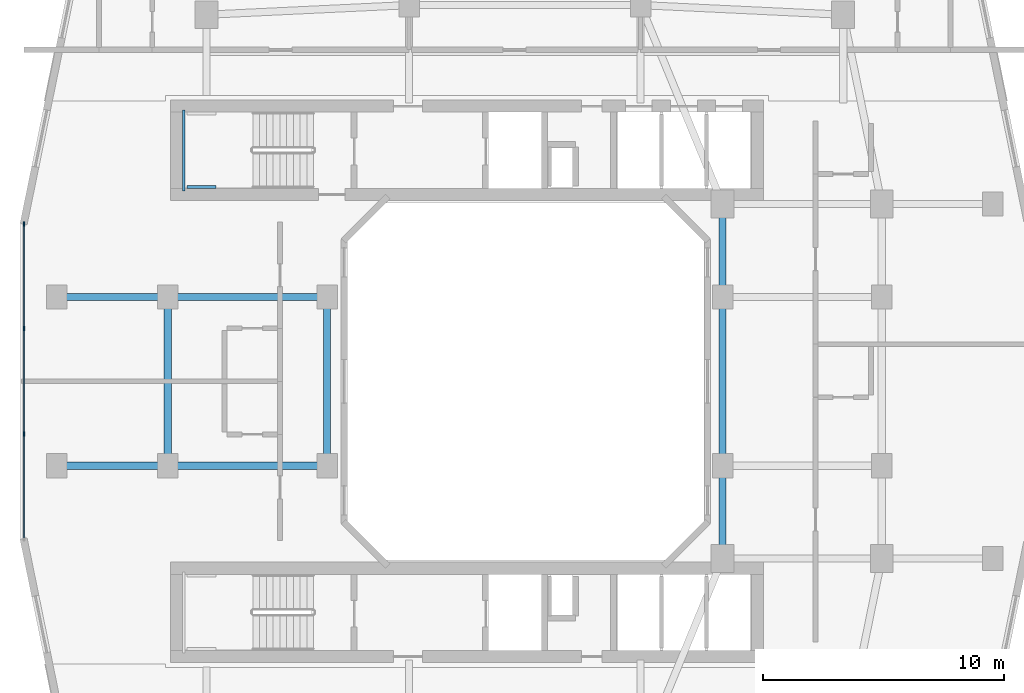
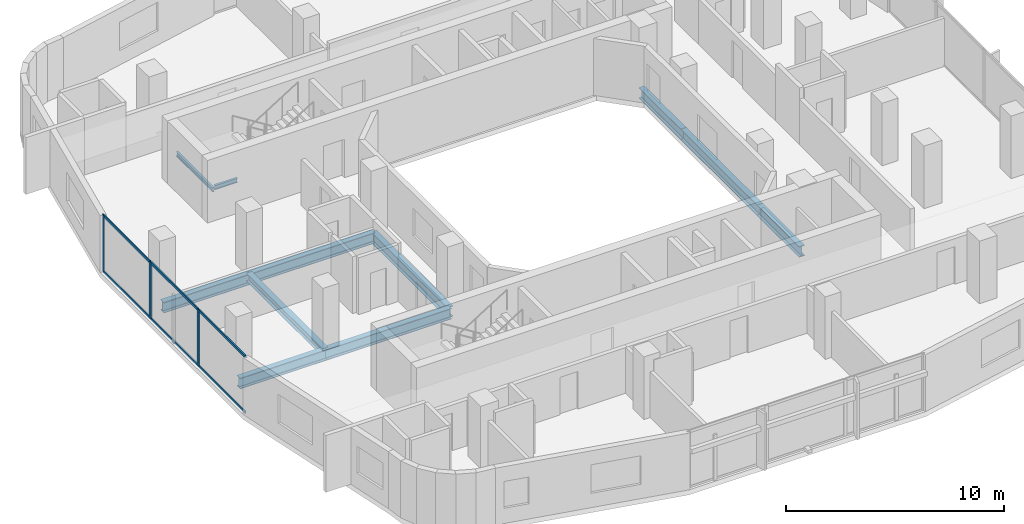
# One storey, part 3 of 25: 11 beams, 9 members, 1 element without a shape of its own.
"""IFC4 building model written with IfcOpenShell, lengths in metres."""

from ifc_helpers import new_model, si_unit, derived_unit, direction, frame, origin, origin_2d, place, context, subcontext, project, spatial, rectangle, i_section, extrude, material, layer, layer_set, material_profile, profile_set, type_object, element, aggregate, save


model = new_model("IFC4")

# Units and contexts
model_context = context("Model", 3, precision=1e-05, world=origin(), true_north=direction((0.0, 1.0)))
body_context = subcontext(model_context, "Body", "Model", "MODEL_VIEW")
ifc_project = project(units=[si_unit("LENGTHUNIT", "METRE"), si_unit("AREAUNIT", "SQUARE_METRE"), si_unit("VOLUMEUNIT", "CUBIC_METRE"), si_unit("PLANEANGLEUNIT", "RADIAN"), si_unit("MASSUNIT", "GRAM", prefix="KILO"), derived_unit("THERMALTRANSMITTANCEUNIT", [(si_unit("POWERUNIT", "WATT"), 1), (si_unit("LENGTHUNIT", "METRE"), -2), (si_unit("THERMODYNAMICTEMPERATUREUNIT", "KELVIN"), -1)])], contexts=[model_context])

# Site, building, storey
site_placement = place(None, origin())
site = spatial("IfcSite", under=ifc_project, at=site_placement, CompositionType="ELEMENT")
building_placement = place(site_placement, origin())
building = spatial("IfcBuilding", under=site, at=building_placement, Name="Kivonza Crest Hotel", CompositionType="ELEMENT")
storey_placement = place(building_placement, frame((0.0, 0.0, 87.0)))
storey = spatial("IfcBuildingStorey", under=building, at=storey_placement, Name="L23", CompositionType="ELEMENT", Elevation=87.0)

# Beams
ifc_material_1 = material(Name="Steel S355", Category="steel")
ifc_material_profile_1 = material_profile(ifc_material_1, i_section(OverallWidth=0.300048828125, OverallDepth=0.449951171875, WebThickness=0.013916015625, FlangeThickness=0.02587890625, FilletRadius=0.027099609375, at=origin_2d()), Name="HEB 450")
ifc_profile_set_1 = profile_set([ifc_material_profile_1], Name="Steel S355")
beam_type_1 = type_object("IfcBeamType", Name="BM-HEB450", PredefinedType="SPANDREL", material=ifc_profile_set_1)
beam_1_placement = place(storey_placement, frame((6.199951171875, 28.5, -0.5048828125), z_axis=(0.0, -1.0, 0.0), x_axis=(1.0, 0.0, 0.0)))
element("IfcBeam", 1, at=beam_1_placement, inside=storey, type_object=beam_type_1, Name="Tower T1 L23 perimeter spandrel W2-W1", PredefinedType="SPANDREL", context=body_context, shape_type="SweptSolid", body=[
    extrude(i_section(OverallWidth=0.300048828125, OverallDepth=0.449951171875, WebThickness=0.013916015625, FlangeThickness=0.02587890625, FilletRadius=0.027099609375, at=origin_2d()), origin(), (0.0, 0.0, 1.0), 7.0),
])
ifc_material_profile_2 = material_profile(ifc_material_1, i_section(OverallWidth=0.300048828125, OverallDepth=0.60009765625, WebThickness=0.015380859375, FlangeThickness=0.030029296875, FilletRadius=0.027099609375, at=origin_2d()), Name="HEB 600")
ifc_profile_set_2 = profile_set([ifc_material_profile_2], Name="Steel S355")
beam_type_2 = type_object("IfcBeamType", Name="BM-HEB600", PredefinedType="BEAM", material=ifc_profile_set_2)
for number, where, z_axis, x_axis, name in (
    (2, (6.199951171875, 21.5, -0.580078125), (1.0, 0.0, 0.0), (0.0, 1.0, 0.0), "Tower T1 L23 primary girder W1-WL1"),
    (3, (6.199951171875, 28.5, -0.580078125), (1.0, 0.0, 0.0), (0.0, 1.0, 0.0), "Tower T1 L23 primary girder W2-WL2"),
):
    element("IfcBeam", number, at=place(storey_placement, frame(where, z_axis=z_axis, x_axis=x_axis)), inside=storey, type_object=beam_type_2, Name=name, PredefinedType="BEAM", context=body_context, shape_type="SweptSolid", body=[
        extrude(i_section(OverallWidth=0.300048828125, OverallDepth=0.60009765625, WebThickness=0.015380859375, FlangeThickness=0.030029296875, FilletRadius=0.027099609375, at=origin_2d()), origin(), (0.0, 0.0, 1.0), 6.60009765625),
    ])
for number, where, z_axis, x_axis, name in (
    (4, (12.800048828125, 21.5, -0.580078125), (0.0, 1.0, 0.0), (-1.0, 0.0, 0.0), "Tower T1 L23 primary girder WL1-WL2"),
    (5, (29.199951171875, 21.5, -0.580078125), (0.0, 1.0, 0.0), (-1.0, 0.0, 0.0), "Tower T1 L23 primary girder WR1-WR2"),
):
    element("IfcBeam", number, at=place(storey_placement, frame(where, z_axis=z_axis, x_axis=x_axis)), inside=storey, type_object=beam_type_2, Name=name, PredefinedType="BEAM", context=body_context, shape_type="SweptSolid", body=[
        extrude(i_section(OverallWidth=0.300048828125, OverallDepth=0.60009765625, WebThickness=0.015380859375, FlangeThickness=0.030029296875, FilletRadius=0.027099609375, at=origin_2d()), origin(), (0.0, 0.0, 1.0), 7.0),
    ])
for number, where, z_axis, x_axis, name in (
    (6, (29.199951171875, 17.64990234375, -0.580078125), (0.0, 1.0, 0.0), (-1.0, 0.0, 0.0), "Tower T1 L23 primary girder TSE-WR1"),
    (7, (29.199951171875, 28.5, -0.580078125), (0.0, 1.0, 0.0), (-1.0, 0.0, 0.0), "Tower T1 L23 primary girder WR2-TNE"),
):
    element("IfcBeam", number, at=place(storey_placement, frame(where, z_axis=z_axis, x_axis=x_axis)), inside=storey, type_object=beam_type_2, Name=name, PredefinedType="BEAM", context=body_context, shape_type="SweptSolid", body=[
        extrude(i_section(OverallWidth=0.300048828125, OverallDepth=0.60009765625, WebThickness=0.015380859375, FlangeThickness=0.030029296875, FilletRadius=0.027099609375, at=origin_2d()), origin(), (0.0, 0.0, 1.0), 3.85009765625),
    ])
for number, where, z_axis, x_axis, name in (
    (8, (1.60009765625, 21.5, -0.580078125), (1.0, 0.0, 0.0), (0.0, 1.0, 0.0), "Tower T1 L23 outer bay girder ZW1"),
    (9, (1.60009765625, 28.5, -0.580078125), (1.0, 0.0, 0.0), (0.0, 1.0, 0.0), "Tower T1 L23 outer bay girder ZW2"),
):
    element("IfcBeam", number, at=place(storey_placement, frame(where, z_axis=z_axis, x_axis=x_axis)), inside=storey, type_object=beam_type_2, Name=name, PredefinedType="BEAM", context=body_context, shape_type="SweptSolid", body=[
        extrude(i_section(OverallWidth=0.300048828125, OverallDepth=0.60009765625, WebThickness=0.015380859375, FlangeThickness=0.030029296875, FilletRadius=0.027099609375, at=origin_2d()), origin(), (0.0, 0.0, 1.0), 4.599853515625),
    ])
ifc_material_profile_3 = material_profile(ifc_material_1, i_section(OverallWidth=0.1201171875, OverallDepth=0.239990234375, WebThickness=0.006103515625, FlangeThickness=0.009765625, FilletRadius=0.014892578125, at=origin_2d()), Name="IPE 240")
ifc_profile_set_3 = profile_set([ifc_material_profile_3], Name="Steel S355")
beam_type_3 = type_object("IfcBeamType", Name="BM-LLDG-240", PredefinedType="BEAM", material=ifc_profile_set_3)
beam_2_placement = place(storey_placement, frame((6.860107421875, 32.89990234375, 1.429931640625), z_axis=(0.0, 1.0, 0.0), x_axis=(-1.0, 0.0, 0.0)))
element("IfcBeam", 10, at=beam_2_placement, inside=storey, type_object=beam_type_3, Name="Stair ST-T1-N L23 West landing corbel", PredefinedType="BEAM", context=body_context, shape_type="SweptSolid", body=[
    extrude(i_section(OverallWidth=0.1201171875, OverallDepth=0.239990234375, WebThickness=0.006103515625, FlangeThickness=0.009765625, FilletRadius=0.014892578125, at=origin_2d()), origin(), (0.0, 0.0, 1.0), 3.360107421875),
])
beam_3_placement = place(storey_placement, frame((6.989990234375, 33.06005859375, 1.429931640625), z_axis=(1.0, 0.0, 0.0), x_axis=(0.0, 1.0, 0.0)))
element("IfcBeam", 11, at=beam_3_placement, inside=storey, type_object=beam_type_3, Name="Stair ST-T1-N L23 South landing corbel", PredefinedType="BEAM", context=body_context, shape_type="SweptSolid", body=[
    extrude(i_section(OverallWidth=0.1201171875, OverallDepth=0.239990234375, WebThickness=0.006103515625, FlangeThickness=0.009765625, FilletRadius=0.014892578125, at=origin_2d()), origin(), (0.0, 0.0, 1.0), 1.2099609375),
])

# Curtain wall, members
ifc_material_2 = material(Name="Anodised bronze aluminium and low-E double glazing", Category="aluminium")
ifc_layer = layer(ifc_material_2, 0.179931640625)
ifc_layer_set = layer_set([ifc_layer], Name="Anodised bronze aluminium and low-E double glazing")
curtain_wall_type = type_object("IfcCurtainWallType", Name="CW-SYS-2", PredefinedType="NOTDEFINED", material=ifc_layer_set)
curtain_wall_placement = place(storey_placement, origin())
curtain_wall = element("IfcCurtainWall", 12, at=curtain_wall_placement, inside=storey, type_object=curtain_wall_type, Name="L23 unitised curtain wall CW-T1-L23-35", PredefinedType="NOTDEFINED")
ifc_material_3 = material(Name="Anodised bronze aluminium", Category="aluminium")
ifc_material_profile_4 = material_profile(ifc_material_3, rectangle(XDim=0.06494140625, YDim=0.179931640625, at=origin_2d()), Name="CW-M 65x180")
ifc_profile_set_4 = profile_set([ifc_material_profile_4], Name="Anodised bronze aluminium")
member_type_1 = type_object("IfcMemberType", Name="CW-MUL-65x180", PredefinedType="MULLION", material=ifc_profile_set_4)
member_1_placement = place(storey_placement, frame((0.239990234375, 31.527587890625, 0.0), z_axis=(0.0, 0.0, 1.0), x_axis=(1.0, 0.0, 0.0)))
member_1 = element("IfcMember", 13, at=member_1_placement, type_object=member_type_1, Name="CW-2 mullion 1", PredefinedType="MULLION", context=body_context, shape_type="SweptSolid", body=[
    extrude(rectangle(XDim=0.06494140625, YDim=0.179931640625, at=origin_2d()), origin(), (0.0, 0.0, 1.0), 3.179931640625),
])
member_2_placement = place(storey_placement, frame((0.239990234375, 27.186767578125, 0.0), z_axis=(0.0, 0.0, 1.0), x_axis=(1.0, 0.0, 0.0)))
member_2 = element("IfcMember", 14, at=member_2_placement, type_object=member_type_1, Name="CW-2 mullion 2", PredefinedType="MULLION", context=body_context, shape_type="SweptSolid", body=[
    extrude(rectangle(XDim=0.06494140625, YDim=0.179931640625, at=origin_2d()), origin(), (0.0, 0.0, 1.0), 3.179931640625),
])
member_3_placement = place(storey_placement, frame((0.239990234375, 22.813232421875, 0.0), z_axis=(0.0, 0.0, 1.0), x_axis=(1.0, 0.0, 0.0)))
member_3 = element("IfcMember", 15, at=member_3_placement, type_object=member_type_1, Name="CW-2 mullion 3", PredefinedType="MULLION", context=body_context, shape_type="SweptSolid", body=[
    extrude(rectangle(XDim=0.06494140625, YDim=0.179931640625, at=origin_2d()), origin(), (0.0, 0.0, 1.0), 3.179931640625),
])
ifc_material_profile_5 = material_profile(ifc_material_3, rectangle(XDim=0.06494140625, YDim=0.139892578125, at=origin_2d()), Name="CW-T 65x140")
ifc_profile_set_5 = profile_set([ifc_material_profile_5], Name="Anodised bronze aluminium")
member_type_2 = type_object("IfcMemberType", Name="CW-TRN-65x140", PredefinedType="USERDEFINED", material=ifc_profile_set_5)
member_4_placement = place(storey_placement, frame((0.239990234375, 31.4951171875, 0.032470703125), z_axis=(0.0, -1.0, 0.0), x_axis=(1.0, 0.0, 0.0)))
member_4 = element("IfcMember", 16, at=member_4_placement, type_object=member_type_2, Name="CW-2 transom 1.1", ObjectType="TRANSOM", PredefinedType="USERDEFINED", context=body_context, shape_type="SweptSolid", body=[
    extrude(rectangle(XDim=0.06494140625, YDim=0.139892578125, at=origin_2d()), origin(), (0.0, 0.0, 1.0), 4.27587890625),
])
member_5_placement = place(storey_placement, frame((0.239990234375, 31.4951171875, 3.1474609375), z_axis=(0.0, -1.0, 0.0), x_axis=(1.0, 0.0, 0.0)))
member_5 = element("IfcMember", 17, at=member_5_placement, type_object=member_type_2, Name="CW-2 transom 1.2", ObjectType="TRANSOM", PredefinedType="USERDEFINED", context=body_context, shape_type="SweptSolid", body=[
    extrude(rectangle(XDim=0.06494140625, YDim=0.139892578125, at=origin_2d()), origin(), (0.0, 0.0, 1.0), 4.27587890625),
])
member_6_placement = place(storey_placement, frame((0.239990234375, 27.154052734375, 0.032470703125), z_axis=(0.0, -1.0, 0.0), x_axis=(1.0, 0.0, 0.0)))
member_6 = element("IfcMember", 18, at=member_6_placement, type_object=member_type_2, Name="CW-2 transom 2.1", ObjectType="TRANSOM", PredefinedType="USERDEFINED", context=body_context, shape_type="SweptSolid", body=[
    extrude(rectangle(XDim=0.06494140625, YDim=0.139892578125, at=origin_2d()), origin(), (0.0, 0.0, 1.0), 4.30810546875),
])
member_7_placement = place(storey_placement, frame((0.239990234375, 27.154052734375, 3.1474609375), z_axis=(0.0, -1.0, 0.0), x_axis=(1.0, 0.0, 0.0)))
member_7 = element("IfcMember", 19, at=member_7_placement, type_object=member_type_2, Name="CW-2 transom 2.2", ObjectType="TRANSOM", PredefinedType="USERDEFINED", context=body_context, shape_type="SweptSolid", body=[
    extrude(rectangle(XDim=0.06494140625, YDim=0.139892578125, at=origin_2d()), origin(), (0.0, 0.0, 1.0), 4.30810546875),
])
member_8_placement = place(storey_placement, frame((0.239990234375, 22.78076171875, 0.032470703125), z_axis=(0.0, -1.0, 0.0), x_axis=(1.0, 0.0, 0.0)))
member_8 = element("IfcMember", 20, at=member_8_placement, type_object=member_type_2, Name="CW-2 transom 3.1", ObjectType="TRANSOM", PredefinedType="USERDEFINED", context=body_context, shape_type="SweptSolid", body=[
    extrude(rectangle(XDim=0.06494140625, YDim=0.139892578125, at=origin_2d()), origin(), (0.0, 0.0, 1.0), 4.27587890625),
])
member_9_placement = place(storey_placement, frame((0.239990234375, 22.78076171875, 3.1474609375), z_axis=(0.0, -1.0, 0.0), x_axis=(1.0, 0.0, 0.0)))
member_9 = element("IfcMember", 21, at=member_9_placement, type_object=member_type_2, Name="CW-2 transom 3.2", ObjectType="TRANSOM", PredefinedType="USERDEFINED", context=body_context, shape_type="SweptSolid", body=[
    extrude(rectangle(XDim=0.06494140625, YDim=0.139892578125, at=origin_2d()), origin(), (0.0, 0.0, 1.0), 4.27587890625),
])
aggregate(curtain_wall, [member_1, member_2, member_3, member_4, member_5, member_6, member_7, member_8, member_9])

save(model, "model.ifc")
